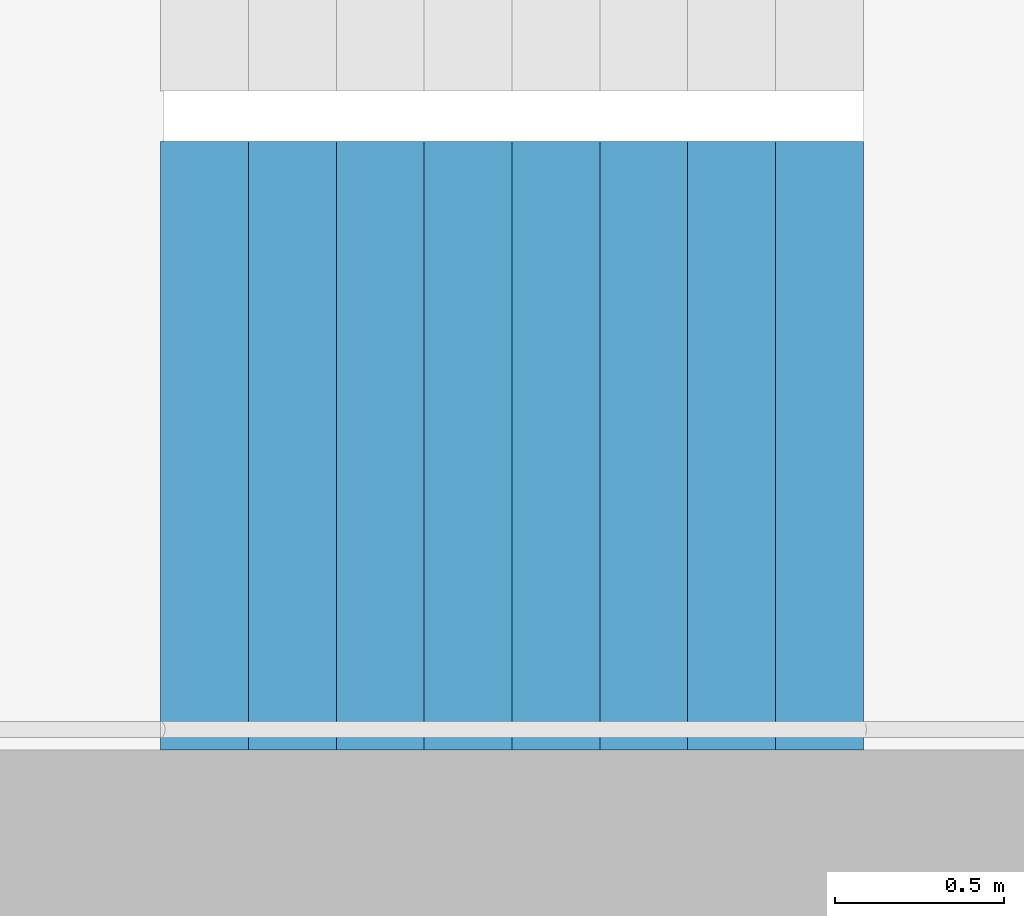
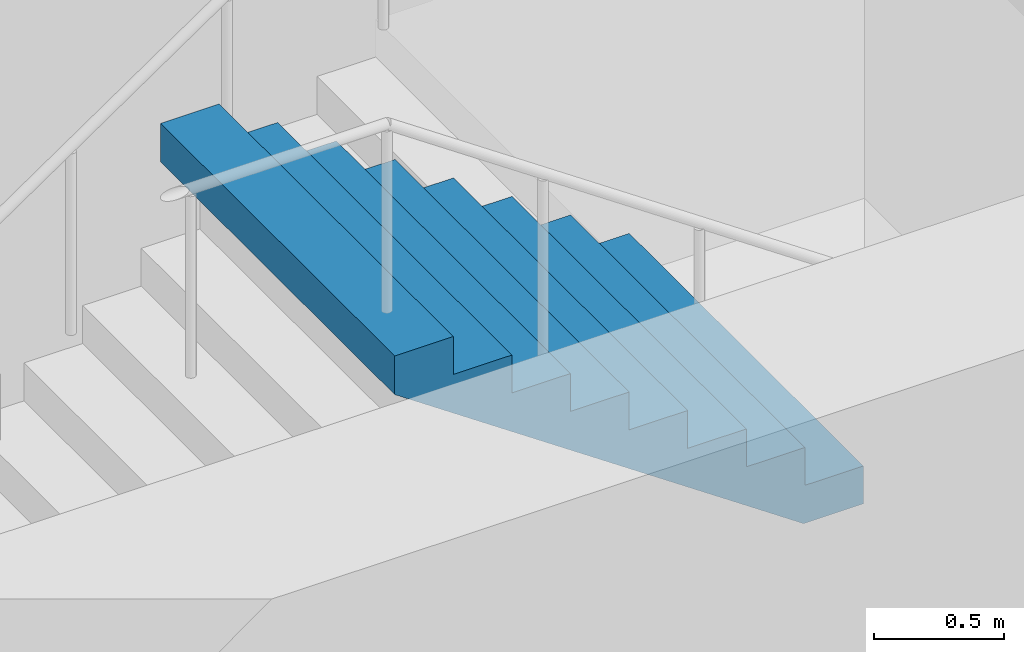
# One storey, part 25 of 29: 1 stair flight, 1 element without a shape of its own.
"""IFC4 building model written with IfcOpenShell, lengths in metres."""

from ifc_helpers import new_model, si_unit, direction, frame, origin, place, context, subcontext, project, spatial, triangles, material, type_object, element, aggregate, save


model = new_model("IFC4")

# Units and contexts
model_context = context("Model", 3, precision=1e-05, world=origin(), true_north=direction((0.0, 1.0)))
body_context = subcontext(model_context, "Body", "Model", "MODEL_VIEW")
ifc_project = project(units=[si_unit("LENGTHUNIT", "METRE"), si_unit("AREAUNIT", "SQUARE_METRE"), si_unit("VOLUMEUNIT", "CUBIC_METRE"), si_unit("PLANEANGLEUNIT", "RADIAN"), si_unit("MASSUNIT", "GRAM", prefix="KILO")], contexts=[model_context])

# Site, building, storey
site_placement = place(None, origin())
site = spatial("IfcSite", under=ifc_project, at=site_placement, CompositionType="ELEMENT")
building_placement = place(site_placement, origin())
building = spatial("IfcBuilding", under=site, at=building_placement, Name="Hakoniwa Tower and Hamabe Station Hall", CompositionType="ELEMENT")
storey_placement = place(building_placement, frame((0.0, 0.0, 113.800048828125)))
storey = spatial("IfcBuildingStorey", under=building, at=storey_placement, Name="L32", CompositionType="ELEMENT", Elevation=113.800048828125)

# Stair, stair flight
ifc_material_1 = material(Name="Concrete C40", Category="concrete")
stair_type = type_object("IfcStairType", Name="ESCAPE STAIR 1800", PredefinedType="HALF_TURN_STAIR", material=ifc_material_1)
stair_placement = place(storey_placement, origin())
stair = element("IfcStair", 1, at=stair_placement, inside=storey, type_object=stair_type, Name="Escape stair ST-4 L32", PredefinedType="HALF_TURN_STAIR")
ifc_material_2 = material(Name="Concrete C40", Category="concrete")
stair_flight_type = type_object("IfcStairFlightType", Name="STAIR FLIGHT 1800", PredefinedType="STRAIGHT", material=ifc_material_2)
stair_flight_placement = place(storey_placement, frame((25.47998046875, -6.60009765625, 1.599853515625), z_axis=(0.0, 0.0, 1.0), x_axis=(-1.0, 0.0, 0.0)))
stair_flight = element("IfcStairFlight", 2, at=stair_flight_placement, type_object=stair_flight_type, Name="ST-4 flight 2", NumberOfRisers=9, NumberOfTreads=8, PredefinedType="STRAIGHT", RiserHeight=0.177777778, TreadLength=0.26, context=body_context, shape_type="Tessellation", body=[
    triangles([(0.0, 0.89990234375, 0.0), (0.260009765625, 0.89990234375, 0.0), (0.265625, 0.89990234375, 0.0), (0.52001953125, 0.89990234375, 0.174072265625), (0.780029296875, 0.89990234375, 0.351806640625), (1.0400390625, 0.89990234375, 0.529541015625), (1.300048828125, 0.89990234375, 0.707275390625), (1.56005859375, 0.89990234375, 0.885009765625), (1.820068359375, 0.89990234375, 1.062744140625), (2.080078125, 0.89990234375, 1.24072265625), (2.080078125, 0.89990234375, 1.422119140625), (1.820068359375, 0.89990234375, 1.422119140625), (1.820068359375, 0.89990234375, 1.244384765625), (1.56005859375, 0.89990234375, 1.244384765625), (1.56005859375, 0.89990234375, 1.066650390625), (1.300048828125, 0.89990234375, 1.066650390625), (1.300048828125, 0.89990234375, 0.888916015625), (1.0400390625, 0.89990234375, 0.888916015625), (1.0400390625, 0.89990234375, 0.711181640625), (0.780029296875, 0.89990234375, 0.711181640625), (0.780029296875, 0.89990234375, 0.533447265625), (0.52001953125, 0.89990234375, 0.533447265625), (0.52001953125, 0.89990234375, 0.35546875), (0.265625, 0.89990234375, 0.35546875), (0.260009765625, 0.89990234375, 0.35546875), (0.260009765625, 0.89990234375, 0.177734375), (0.0, 0.89990234375, 0.177734375), (0.0, 0.06005859375, 0.0), (0.260009765625, 0.06005859375, 0.0), (0.265625, 0.06005859375, 0.0), (0.52001953125, 0.06005859375, 0.174072265625), (0.780029296875, 0.06005859375, 0.351806640625), (1.0400390625, 0.06005859375, 0.529541015625), (1.300048828125, 0.06005859375, 0.707275390625), (1.56005859375, 0.06005859375, 0.885009765625), (1.820068359375, 0.06005859375, 1.062744140625), (2.080078125, 0.06005859375, 1.24072265625), (2.080078125, 0.06005859375, 1.422119140625), (1.820068359375, 0.06005859375, 1.422119140625), (1.820068359375, 0.06005859375, 1.244384765625), (1.56005859375, 0.06005859375, 1.244384765625), (1.56005859375, 0.06005859375, 1.066650390625), (1.300048828125, 0.06005859375, 1.066650390625), (1.300048828125, 0.06005859375, 0.888916015625), (1.0400390625, 0.06005859375, 0.888916015625), (1.0400390625, 0.06005859375, 0.711181640625), (0.780029296875, 0.06005859375, 0.711181640625), (0.780029296875, 0.06005859375, 0.533447265625), (0.52001953125, 0.06005859375, 0.533447265625), (0.52001953125, 0.06005859375, 0.35546875), (0.265625, 0.06005859375, 0.35546875), (0.260009765625, 0.06005859375, 0.35546875), (0.260009765625, 0.06005859375, 0.177734375), (0.0, 0.06005859375, 0.177734375), (0.0, 0.04296875, 0.0), (0.260009765625, 0.04296875, 0.0), (0.265625, 0.04296875, 0.0), (0.52001953125, 0.04296875, 0.174072265625), (0.780029296875, 0.04296875, 0.351806640625), (1.0400390625, 0.04296875, 0.529541015625), (1.300048828125, 0.04296875, 0.707275390625), (1.56005859375, 0.04296875, 0.885009765625), (1.820068359375, 0.04296875, 1.062744140625), (2.080078125, 0.04296875, 1.24072265625), (2.080078125, 0.04296875, 1.422119140625), (1.820068359375, 0.04296875, 1.422119140625), (1.820068359375, 0.04296875, 1.244384765625), (1.56005859375, 0.04296875, 1.244384765625), (1.56005859375, 0.04296875, 1.066650390625), (1.300048828125, 0.04296875, 1.066650390625), (1.300048828125, 0.04296875, 0.888916015625), (1.0400390625, 0.04296875, 0.888916015625), (1.0400390625, 0.04296875, 0.711181640625), (0.780029296875, 0.04296875, 0.711181640625), (0.780029296875, 0.04296875, 0.533447265625), (0.52001953125, 0.04296875, 0.533447265625), (0.52001953125, 0.04296875, 0.35546875), (0.265625, 0.04296875, 0.35546875), (0.260009765625, 0.04296875, 0.35546875), (0.260009765625, 0.04296875, 0.177734375), (0.0, 0.04296875, 0.177734375), (0.0, 0.025634765625, 0.0), (0.260009765625, 0.025634765625, 0.0), (0.265625, 0.025634765625, 0.0), (0.52001953125, 0.025634765625, 0.174072265625), (0.780029296875, 0.025634765625, 0.351806640625), (1.0400390625, 0.025634765625, 0.529541015625), (1.300048828125, 0.025634765625, 0.707275390625), (1.56005859375, 0.025634765625, 0.885009765625), (1.820068359375, 0.025634765625, 1.062744140625), (2.080078125, 0.025634765625, 1.24072265625), (2.080078125, 0.025634765625, 1.422119140625), (1.820068359375, 0.025634765625, 1.422119140625), (1.820068359375, 0.025634765625, 1.244384765625), (1.56005859375, 0.025634765625, 1.244384765625), (1.56005859375, 0.025634765625, 1.066650390625), (1.300048828125, 0.025634765625, 1.066650390625), (1.300048828125, 0.025634765625, 0.888916015625), (1.0400390625, 0.025634765625, 0.888916015625), (1.0400390625, 0.025634765625, 0.711181640625), (0.780029296875, 0.025634765625, 0.711181640625), (0.780029296875, 0.025634765625, 0.533447265625), (0.52001953125, 0.025634765625, 0.533447265625), (0.52001953125, 0.025634765625, 0.35546875), (0.265625, 0.025634765625, 0.35546875), (0.260009765625, 0.025634765625, 0.35546875), (0.260009765625, 0.025634765625, 0.177734375), (0.0, 0.025634765625, 0.177734375), (0.0, 0.008544921875, 0.0), (0.260009765625, 0.008544921875, 0.0), (0.265625, 0.008544921875, 0.0), (0.52001953125, 0.008544921875, 0.174072265625), (0.780029296875, 0.008544921875, 0.351806640625), (1.0400390625, 0.008544921875, 0.529541015625), (1.300048828125, 0.008544921875, 0.707275390625), (1.56005859375, 0.008544921875, 0.885009765625), (1.820068359375, 0.008544921875, 1.062744140625), (2.080078125, 0.008544921875, 1.24072265625), (2.080078125, 0.008544921875, 1.422119140625), (1.820068359375, 0.008544921875, 1.422119140625), (1.820068359375, 0.008544921875, 1.244384765625), (1.56005859375, 0.008544921875, 1.244384765625), (1.56005859375, 0.008544921875, 1.066650390625), (1.300048828125, 0.008544921875, 1.066650390625), (1.300048828125, 0.008544921875, 0.888916015625), (1.0400390625, 0.008544921875, 0.888916015625), (1.0400390625, 0.008544921875, 0.711181640625), (0.780029296875, 0.008544921875, 0.711181640625), (0.780029296875, 0.008544921875, 0.533447265625), (0.52001953125, 0.008544921875, 0.533447265625), (0.52001953125, 0.008544921875, 0.35546875), (0.265625, 0.008544921875, 0.35546875), (0.260009765625, 0.008544921875, 0.35546875), (0.260009765625, 0.008544921875, 0.177734375), (0.0, 0.008544921875, 0.177734375), (0.0, -0.008544921875, 0.0), (0.260009765625, -0.008544921875, 0.0), (0.265625, -0.008544921875, 0.0), (0.52001953125, -0.008544921875, 0.174072265625), (0.780029296875, -0.008544921875, 0.351806640625), (1.0400390625, -0.008544921875, 0.529541015625), (1.300048828125, -0.008544921875, 0.707275390625), (1.56005859375, -0.008544921875, 0.885009765625), (1.820068359375, -0.008544921875, 1.062744140625), (2.080078125, -0.008544921875, 1.24072265625), (2.080078125, -0.008544921875, 1.422119140625), (1.820068359375, -0.008544921875, 1.422119140625), (1.820068359375, -0.008544921875, 1.244384765625), (1.56005859375, -0.008544921875, 1.244384765625), (1.56005859375, -0.008544921875, 1.066650390625), (1.300048828125, -0.008544921875, 1.066650390625), (1.300048828125, -0.008544921875, 0.888916015625), (1.0400390625, -0.008544921875, 0.888916015625), (1.0400390625, -0.008544921875, 0.711181640625), (0.780029296875, -0.008544921875, 0.711181640625), (0.780029296875, -0.008544921875, 0.533447265625), (0.52001953125, -0.008544921875, 0.533447265625), (0.52001953125, -0.008544921875, 0.35546875), (0.265625, -0.008544921875, 0.35546875), (0.260009765625, -0.008544921875, 0.35546875), (0.260009765625, -0.008544921875, 0.177734375), (0.0, -0.008544921875, 0.177734375), (0.0, -0.025634765625, 0.0), (0.260009765625, -0.025634765625, 0.0), (0.265625, -0.025634765625, 0.0), (0.52001953125, -0.025634765625, 0.174072265625), (0.780029296875, -0.025634765625, 0.351806640625), (1.0400390625, -0.025634765625, 0.529541015625), (1.300048828125, -0.025634765625, 0.707275390625), (1.56005859375, -0.025634765625, 0.885009765625), (1.820068359375, -0.025634765625, 1.062744140625), (2.080078125, -0.025634765625, 1.24072265625), (2.080078125, -0.025634765625, 1.422119140625), (1.820068359375, -0.025634765625, 1.422119140625), (1.820068359375, -0.025634765625, 1.244384765625), (1.56005859375, -0.025634765625, 1.244384765625), (1.56005859375, -0.025634765625, 1.066650390625), (1.300048828125, -0.025634765625, 1.066650390625), (1.300048828125, -0.025634765625, 0.888916015625), (1.0400390625, -0.025634765625, 0.888916015625), (1.0400390625, -0.025634765625, 0.711181640625), (0.780029296875, -0.025634765625, 0.711181640625), (0.780029296875, -0.025634765625, 0.533447265625), (0.52001953125, -0.025634765625, 0.533447265625), (0.52001953125, -0.025634765625, 0.35546875), (0.265625, -0.025634765625, 0.35546875), (0.260009765625, -0.025634765625, 0.35546875), (0.260009765625, -0.025634765625, 0.177734375), (0.0, -0.025634765625, 0.177734375), (0.0, -0.04296875, 0.0), (0.260009765625, -0.04296875, 0.0), (0.265625, -0.04296875, 0.0), (0.52001953125, -0.04296875, 0.174072265625), (0.780029296875, -0.04296875, 0.351806640625), (1.0400390625, -0.04296875, 0.529541015625), (1.300048828125, -0.04296875, 0.707275390625), (1.56005859375, -0.04296875, 0.885009765625), (1.820068359375, -0.04296875, 1.062744140625), (2.080078125, -0.04296875, 1.24072265625), (2.080078125, -0.04296875, 1.422119140625), (1.820068359375, -0.04296875, 1.422119140625), (1.820068359375, -0.04296875, 1.244384765625), (1.56005859375, -0.04296875, 1.244384765625), (1.56005859375, -0.04296875, 1.066650390625), (1.300048828125, -0.04296875, 1.066650390625), (1.300048828125, -0.04296875, 0.888916015625), (1.0400390625, -0.04296875, 0.888916015625), (1.0400390625, -0.04296875, 0.711181640625), (0.780029296875, -0.04296875, 0.711181640625), (0.780029296875, -0.04296875, 0.533447265625), (0.52001953125, -0.04296875, 0.533447265625), (0.52001953125, -0.04296875, 0.35546875), (0.265625, -0.04296875, 0.35546875), (0.260009765625, -0.04296875, 0.35546875), (0.260009765625, -0.04296875, 0.177734375), (0.0, -0.04296875, 0.177734375), (0.0, -0.06005859375, 0.0), (0.260009765625, -0.06005859375, 0.0), (0.265625, -0.06005859375, 0.0), (0.52001953125, -0.06005859375, 0.174072265625), (0.780029296875, -0.06005859375, 0.351806640625), (1.0400390625, -0.06005859375, 0.529541015625), (1.300048828125, -0.06005859375, 0.707275390625), (1.56005859375, -0.06005859375, 0.885009765625), (1.820068359375, -0.06005859375, 1.062744140625), (2.080078125, -0.06005859375, 1.24072265625), (2.080078125, -0.06005859375, 1.422119140625), (1.820068359375, -0.06005859375, 1.422119140625), (1.820068359375, -0.06005859375, 1.244384765625), (1.56005859375, -0.06005859375, 1.244384765625), (1.56005859375, -0.06005859375, 1.066650390625), (1.300048828125, -0.06005859375, 1.066650390625), (1.300048828125, -0.06005859375, 0.888916015625), (1.0400390625, -0.06005859375, 0.888916015625), (1.0400390625, -0.06005859375, 0.711181640625), (0.780029296875, -0.06005859375, 0.711181640625), (0.780029296875, -0.06005859375, 0.533447265625), (0.52001953125, -0.06005859375, 0.533447265625), (0.52001953125, -0.06005859375, 0.35546875), (0.265625, -0.06005859375, 0.35546875), (0.260009765625, -0.06005859375, 0.35546875), (0.260009765625, -0.06005859375, 0.177734375), (0.0, -0.06005859375, 0.177734375), (0.0, -0.89990234375, 0.0), (0.260009765625, -0.89990234375, 0.0), (0.265625, -0.89990234375, 0.0), (0.52001953125, -0.89990234375, 0.174072265625), (0.780029296875, -0.89990234375, 0.351806640625), (1.0400390625, -0.89990234375, 0.529541015625), (1.300048828125, -0.89990234375, 0.707275390625), (1.56005859375, -0.89990234375, 0.885009765625), (1.820068359375, -0.89990234375, 1.062744140625), (2.080078125, -0.89990234375, 1.24072265625), (2.080078125, -0.89990234375, 1.422119140625), (1.820068359375, -0.89990234375, 1.422119140625), (1.820068359375, -0.89990234375, 1.244384765625), (1.56005859375, -0.89990234375, 1.244384765625), (1.56005859375, -0.89990234375, 1.066650390625), (1.300048828125, -0.89990234375, 1.066650390625), (1.300048828125, -0.89990234375, 0.888916015625), (1.0400390625, -0.89990234375, 0.888916015625), (1.0400390625, -0.89990234375, 0.711181640625), (0.780029296875, -0.89990234375, 0.711181640625), (0.780029296875, -0.89990234375, 0.533447265625), (0.52001953125, -0.89990234375, 0.533447265625), (0.52001953125, -0.89990234375, 0.35546875), (0.265625, -0.89990234375, 0.35546875), (0.260009765625, -0.89990234375, 0.35546875), (0.260009765625, -0.89990234375, 0.177734375), (0.0, -0.89990234375, 0.177734375)], [[2, 27, 26], [245, 269, 270], [2, 1, 27], [245, 270, 244], [3, 25, 24], [246, 267, 268], [3, 26, 25], [246, 268, 269], [3, 2, 26], [246, 269, 245], [4, 24, 23], [247, 266, 267], [4, 3, 24], [247, 267, 246], [5, 22, 21], [248, 264, 265], [5, 23, 22], [248, 265, 266], [5, 4, 23], [248, 266, 247], [6, 20, 19], [249, 262, 263], [6, 21, 20], [249, 263, 264], [6, 5, 21], [249, 264, 248], [7, 18, 17], [250, 260, 261], [7, 19, 18], [250, 261, 262], [7, 6, 19], [250, 262, 249], [8, 16, 15], [251, 258, 259], [8, 17, 16], [251, 259, 260], [8, 7, 17], [251, 260, 250], [9, 14, 13], [252, 256, 257], [9, 15, 14], [252, 257, 258], [9, 8, 15], [252, 258, 251], [10, 12, 11], [253, 254, 255], [10, 13, 12], [253, 255, 256], [10, 9, 13], [253, 256, 252], [1, 2, 29], [1, 29, 28], [28, 29, 56], [28, 56, 55], [55, 56, 83], [55, 83, 82], [82, 83, 110], [82, 110, 109], [109, 110, 137], [109, 137, 136], [136, 137, 164], [136, 164, 163], [163, 164, 191], [163, 191, 190], [190, 191, 218], [190, 218, 217], [217, 218, 245], [217, 245, 244], [2, 3, 30], [2, 30, 29], [29, 30, 57], [29, 57, 56], [56, 57, 84], [56, 84, 83], [83, 84, 111], [83, 111, 110], [110, 111, 138], [110, 138, 137], [137, 138, 165], [137, 165, 164], [164, 165, 192], [164, 192, 191], [191, 192, 219], [191, 219, 218], [218, 219, 246], [218, 246, 245], [3, 4, 31], [3, 31, 30], [30, 31, 58], [30, 58, 57], [57, 58, 85], [57, 85, 84], [84, 85, 112], [84, 112, 111], [111, 112, 139], [111, 139, 138], [138, 139, 166], [138, 166, 165], [165, 166, 193], [165, 193, 192], [192, 193, 220], [192, 220, 219], [219, 220, 247], [219, 247, 246], [4, 5, 32], [4, 32, 31], [31, 32, 59], [31, 59, 58], [58, 59, 86], [58, 86, 85], [85, 86, 113], [85, 113, 112], [112, 113, 140], [112, 140, 139], [139, 140, 167], [139, 167, 166], [166, 167, 194], [166, 194, 193], [193, 194, 221], [193, 221, 220], [220, 221, 248], [220, 248, 247], [5, 6, 33], [5, 33, 32], [32, 33, 60], [32, 60, 59], [59, 60, 87], [59, 87, 86], [86, 87, 114], [86, 114, 113], [113, 114, 141], [113, 141, 140], [140, 141, 168], [140, 168, 167], [167, 168, 195], [167, 195, 194], [194, 195, 222], [194, 222, 221], [221, 222, 249], [221, 249, 248], [6, 7, 34], [6, 34, 33], [33, 34, 61], [33, 61, 60], [60, 61, 88], [60, 88, 87], [87, 88, 115], [87, 115, 114], [114, 115, 142], [114, 142, 141], [141, 142, 169], [141, 169, 168], [168, 169, 196], [168, 196, 195], [195, 196, 223], [195, 223, 222], [222, 223, 250], [222, 250, 249], [7, 8, 35], [7, 35, 34], [34, 35, 62], [34, 62, 61], [61, 62, 89], [61, 89, 88], [88, 89, 116], [88, 116, 115], [115, 116, 143], [115, 143, 142], [142, 143, 170], [142, 170, 169], [169, 170, 197], [169, 197, 196], [196, 197, 224], [196, 224, 223], [223, 224, 251], [223, 251, 250], [8, 9, 36], [8, 36, 35], [35, 36, 63], [35, 63, 62], [62, 63, 90], [62, 90, 89], [89, 90, 117], [89, 117, 116], [116, 117, 144], [116, 144, 143], [143, 144, 171], [143, 171, 170], [170, 171, 198], [170, 198, 197], [197, 198, 225], [197, 225, 224], [224, 225, 252], [224, 252, 251], [9, 10, 37], [9, 37, 36], [36, 37, 64], [36, 64, 63], [63, 64, 91], [63, 91, 90], [90, 91, 118], [90, 118, 117], [117, 118, 145], [117, 145, 144], [144, 145, 172], [144, 172, 171], [171, 172, 199], [171, 199, 198], [198, 199, 226], [198, 226, 225], [225, 226, 253], [225, 253, 252], [10, 11, 38], [10, 38, 37], [37, 38, 65], [37, 65, 64], [64, 65, 92], [64, 92, 91], [91, 92, 119], [91, 119, 118], [118, 119, 146], [118, 146, 145], [145, 146, 173], [145, 173, 172], [172, 173, 200], [172, 200, 199], [199, 200, 227], [199, 227, 226], [226, 227, 254], [226, 254, 253], [11, 12, 39], [11, 39, 38], [38, 39, 66], [38, 66, 65], [65, 66, 93], [65, 93, 92], [92, 93, 120], [92, 120, 119], [119, 120, 147], [119, 147, 146], [146, 147, 174], [146, 174, 173], [173, 174, 201], [173, 201, 200], [200, 201, 228], [200, 228, 227], [227, 228, 255], [227, 255, 254], [12, 13, 40], [12, 40, 39], [39, 40, 67], [39, 67, 66], [66, 67, 94], [66, 94, 93], [93, 94, 121], [93, 121, 120], [120, 121, 148], [120, 148, 147], [147, 148, 175], [147, 175, 174], [174, 175, 202], [174, 202, 201], [201, 202, 229], [201, 229, 228], [228, 229, 256], [228, 256, 255], [13, 14, 41], [13, 41, 40], [40, 41, 68], [40, 68, 67], [67, 68, 95], [67, 95, 94], [94, 95, 122], [94, 122, 121], [121, 122, 149], [121, 149, 148], [148, 149, 176], [148, 176, 175], [175, 176, 203], [175, 203, 202], [202, 203, 230], [202, 230, 229], [229, 230, 257], [229, 257, 256], [14, 15, 42], [14, 42, 41], [41, 42, 69], [41, 69, 68], [68, 69, 96], [68, 96, 95], [95, 96, 123], [95, 123, 122], [122, 123, 150], [122, 150, 149], [149, 150, 177], [149, 177, 176], [176, 177, 204], [176, 204, 203], [203, 204, 231], [203, 231, 230], [230, 231, 258], [230, 258, 257], [15, 16, 43], [15, 43, 42], [42, 43, 70], [42, 70, 69], [69, 70, 97], [69, 97, 96], [96, 97, 124], [96, 124, 123], [123, 124, 151], [123, 151, 150], [150, 151, 178], [150, 178, 177], [177, 178, 205], [177, 205, 204], [204, 205, 232], [204, 232, 231], [231, 232, 259], [231, 259, 258], [16, 17, 44], [16, 44, 43], [43, 44, 71], [43, 71, 70], [70, 71, 98], [70, 98, 97], [97, 98, 125], [97, 125, 124], [124, 125, 152], [124, 152, 151], [151, 152, 179], [151, 179, 178], [178, 179, 206], [178, 206, 205], [205, 206, 233], [205, 233, 232], [232, 233, 260], [232, 260, 259], [17, 18, 45], [17, 45, 44], [44, 45, 72], [44, 72, 71], [71, 72, 99], [71, 99, 98], [98, 99, 126], [98, 126, 125], [125, 126, 153], [125, 153, 152], [152, 153, 180], [152, 180, 179], [179, 180, 207], [179, 207, 206], [206, 207, 234], [206, 234, 233], [233, 234, 261], [233, 261, 260], [18, 19, 46], [18, 46, 45], [45, 46, 73], [45, 73, 72], [72, 73, 100], [72, 100, 99], [99, 100, 127], [99, 127, 126], [126, 127, 154], [126, 154, 153], [153, 154, 181], [153, 181, 180], [180, 181, 208], [180, 208, 207], [207, 208, 235], [207, 235, 234], [234, 235, 262], [234, 262, 261], [19, 20, 47], [19, 47, 46], [46, 47, 74], [46, 74, 73], [73, 74, 101], [73, 101, 100], [100, 101, 128], [100, 128, 127], [127, 128, 155], [127, 155, 154], [154, 155, 182], [154, 182, 181], [181, 182, 209], [181, 209, 208], [208, 209, 236], [208, 236, 235], [235, 236, 263], [235, 263, 262], [20, 21, 48], [20, 48, 47], [47, 48, 75], [47, 75, 74], [74, 75, 102], [74, 102, 101], [101, 102, 129], [101, 129, 128], [128, 129, 156], [128, 156, 155], [155, 156, 183], [155, 183, 182], [182, 183, 210], [182, 210, 209], [209, 210, 237], [209, 237, 236], [236, 237, 264], [236, 264, 263], [21, 22, 49], [21, 49, 48], [48, 49, 76], [48, 76, 75], [75, 76, 103], [75, 103, 102], [102, 103, 130], [102, 130, 129], [129, 130, 157], [129, 157, 156], [156, 157, 184], [156, 184, 183], [183, 184, 211], [183, 211, 210], [210, 211, 238], [210, 238, 237], [237, 238, 265], [237, 265, 264], [22, 23, 50], [22, 50, 49], [49, 50, 77], [49, 77, 76], [76, 77, 104], [76, 104, 103], [103, 104, 131], [103, 131, 130], [130, 131, 158], [130, 158, 157], [157, 158, 185], [157, 185, 184], [184, 185, 212], [184, 212, 211], [211, 212, 239], [211, 239, 238], [238, 239, 266], [238, 266, 265], [23, 24, 51], [23, 51, 50], [50, 51, 78], [50, 78, 77], [77, 78, 105], [77, 105, 104], [104, 105, 132], [104, 132, 131], [131, 132, 159], [131, 159, 158], [158, 159, 186], [158, 186, 185], [185, 186, 213], [185, 213, 212], [212, 213, 240], [212, 240, 239], [239, 240, 267], [239, 267, 266], [24, 25, 52], [24, 52, 51], [51, 52, 79], [51, 79, 78], [78, 79, 106], [78, 106, 105], [105, 106, 133], [105, 133, 132], [132, 133, 160], [132, 160, 159], [159, 160, 187], [159, 187, 186], [186, 187, 214], [186, 214, 213], [213, 214, 241], [213, 241, 240], [240, 241, 268], [240, 268, 267], [25, 26, 53], [25, 53, 52], [52, 53, 80], [52, 80, 79], [79, 80, 107], [79, 107, 106], [106, 107, 134], [106, 134, 133], [133, 134, 161], [133, 161, 160], [160, 161, 188], [160, 188, 187], [187, 188, 215], [187, 215, 214], [214, 215, 242], [214, 242, 241], [241, 242, 269], [241, 269, 268], [26, 27, 54], [26, 54, 53], [53, 54, 81], [53, 81, 80], [80, 81, 108], [80, 108, 107], [107, 108, 135], [107, 135, 134], [134, 135, 162], [134, 162, 161], [161, 162, 189], [161, 189, 188], [188, 189, 216], [188, 216, 215], [215, 216, 243], [215, 243, 242], [242, 243, 270], [242, 270, 269], [27, 1, 28], [27, 28, 54], [54, 28, 55], [54, 55, 81], [81, 55, 82], [81, 82, 108], [108, 82, 109], [108, 109, 135], [135, 109, 136], [135, 136, 162], [162, 136, 163], [162, 163, 189], [189, 163, 190], [189, 190, 216], [216, 190, 217], [216, 217, 243], [243, 217, 244], [243, 244, 270]], closed=True),
])
aggregate(stair, [stair_flight])

save(model, "model.ifc")
